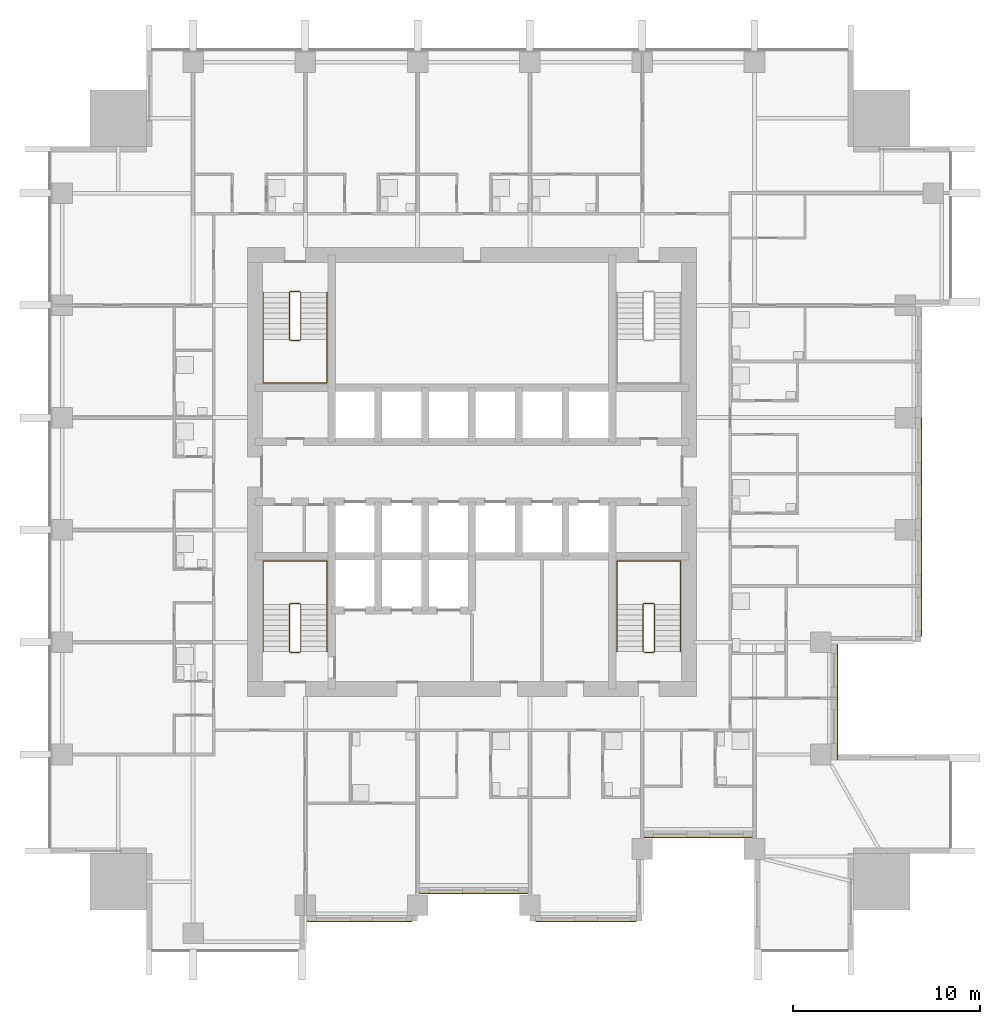
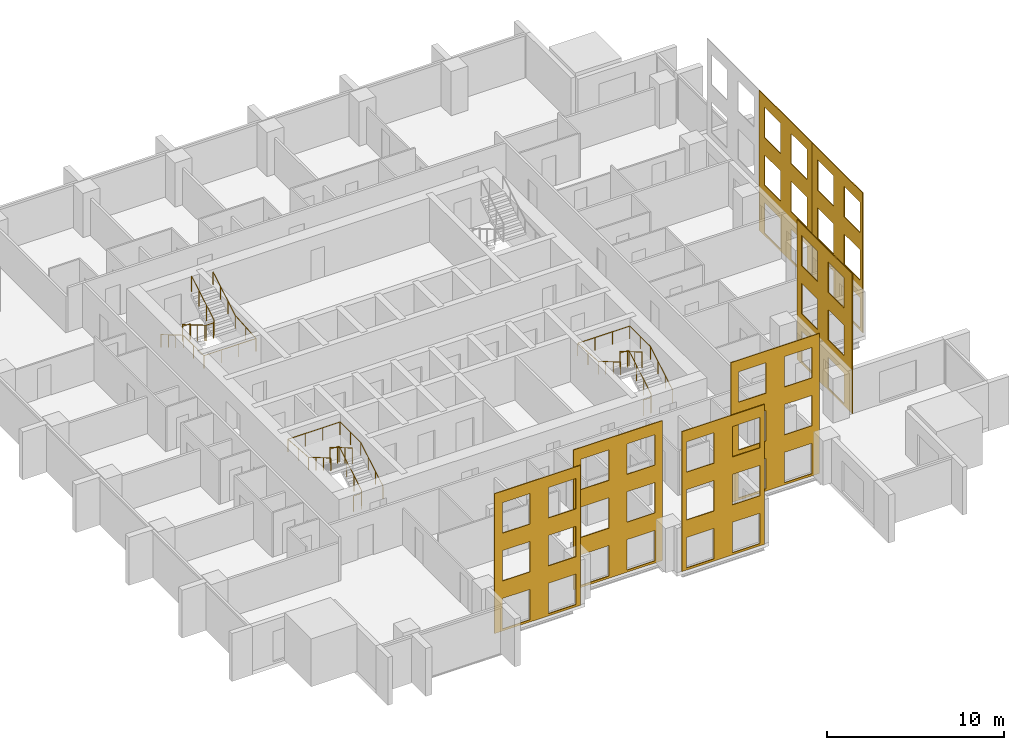
# One storey, part 10 of 12: 7 coverings, 6 railings.
"""IFC4 building model written with IfcOpenShell, lengths in metres."""

from ifc_helpers import new_model, si_unit, direction, frame, origin, origin_2d, place, context, subcontext, project, spatial, polyline, circle, outline, extrude, material, layer, layer_set, type_object, element, save


model = new_model("IFC4")

# Units and contexts
model_context = context("Model", 3, precision=1e-05, world=origin(), true_north=direction((0.0, 1.0)))
body_context = subcontext(model_context, "Body", "Model", "MODEL_VIEW")
ifc_project = project(units=[si_unit("LENGTHUNIT", "METRE"), si_unit("AREAUNIT", "SQUARE_METRE"), si_unit("VOLUMEUNIT", "CUBIC_METRE"), si_unit("PLANEANGLEUNIT", "RADIAN"), si_unit("MASSUNIT", "GRAM", prefix="KILO")], contexts=[model_context])

# Site, building, storey
site_placement = place(None, origin())
site = spatial("IfcSite", under=ifc_project, at=site_placement, CompositionType="ELEMENT")
building_placement = place(site_placement, origin())
building = spatial("IfcBuilding", under=site, at=building_placement, Name="Amberfall Residences", CompositionType="ELEMENT")
storey_placement = place(building_placement, frame((0.0, 0.0, 88.60009765625)))
storey = spatial("IfcBuildingStorey", under=building, at=storey_placement, Name="L23", CompositionType="ELEMENT", Elevation=88.60009765625)

# Coverings
ifc_material_1 = material(Name="Pale limestone cladding", Category="masonry")
ifc_layer = layer(ifc_material_1, 0.050048828125)
ifc_layer_set = layer_set([ifc_layer], Name="Limestone fascia 50")
covering_type = type_object("IfcCoveringType", Name="Limestone fascia 50", PredefinedType="CLADDING", material=ifc_layer_set)
covering_1_placement = place(storey_placement, frame((94.0, 30.10009765625, 9.64990234375), z_axis=(-1.0, 0.0, 0.0), x_axis=(0.0, 1.0, 0.0)))
element("IfcCovering", 1, at=covering_1_placement, inside=storey, type_object=covering_type, Name="Pale limestone cladding L23-L25 E", PredefinedType="CLADDING", context=body_context, shape_type="SweptSolid", body=[
    extrude(outline(polyline([(0.0, 0.0), (6.2099609375, 0.0), (6.2099609375, 9.64990234375), (0.0, 9.64990234375), (0.0, 0.0)]), holes=[polyline([(0.89990234375, 7.39990234375), (2.699951171875, 7.39990234375), (2.699951171875, 9.5), (0.89990234375, 9.5), (0.89990234375, 7.39990234375)]), polyline([(3.89990234375, 7.39990234375), (5.699951171875, 7.39990234375), (5.699951171875, 9.5), (3.89990234375, 9.5), (3.89990234375, 7.39990234375)]), polyline([(0.89990234375, 4.10009765625), (2.699951171875, 4.10009765625), (2.699951171875, 6.199951171875), (0.89990234375, 6.199951171875), (0.89990234375, 4.10009765625)]), polyline([(3.89990234375, 4.10009765625), (5.699951171875, 4.10009765625), (5.699951171875, 6.199951171875), (3.89990234375, 6.199951171875), (3.89990234375, 4.10009765625)]), polyline([(0.89990234375, 0.800048828125), (2.699951171875, 0.800048828125), (2.699951171875, 2.89990234375), (0.89990234375, 2.89990234375), (0.89990234375, 0.800048828125)]), polyline([(3.89990234375, 0.800048828125), (5.699951171875, 0.800048828125), (5.699951171875, 2.89990234375), (3.89990234375, 2.89990234375), (3.89990234375, 0.800048828125)])]), origin(), (0.0, 0.0, -1.0), 0.050048828125),
])
covering_2_placement = place(storey_placement, frame((98.5, 36.699951171875, 9.64990234375), z_axis=(-1.0, 0.0, 0.0), x_axis=(0.0, 1.0, 0.0)))
element("IfcCovering", 2, at=covering_2_placement, inside=storey, type_object=covering_type, Name="Pale limestone cladding L23-L25 E", PredefinedType="CLADDING", context=body_context, shape_type="SweptSolid", body=[
    extrude(outline(polyline([(0.0, 0.0), (5.699951171875, 0.0), (5.699951171875, 9.64990234375), (0.0, 9.64990234375), (0.0, 0.0)]), holes=[polyline([(0.300048828125, 7.39990234375), (2.10009765625, 7.39990234375), (2.10009765625, 9.5), (0.300048828125, 9.5), (0.300048828125, 7.39990234375)]), polyline([(3.300048828125, 7.39990234375), (5.10009765625, 7.39990234375), (5.10009765625, 9.5), (3.300048828125, 9.5), (3.300048828125, 7.39990234375)]), polyline([(0.300048828125, 4.10009765625), (2.10009765625, 4.10009765625), (2.10009765625, 6.199951171875), (0.300048828125, 6.199951171875), (0.300048828125, 4.10009765625)]), polyline([(3.300048828125, 4.10009765625), (5.10009765625, 4.10009765625), (5.10009765625, 6.199951171875), (3.300048828125, 6.199951171875), (3.300048828125, 4.10009765625)]), polyline([(0.300048828125, 0.800048828125), (2.10009765625, 0.800048828125), (2.10009765625, 2.89990234375), (0.300048828125, 2.89990234375), (0.300048828125, 0.800048828125)]), polyline([(3.300048828125, 0.800048828125), (5.10009765625, 0.800048828125), (5.10009765625, 2.89990234375), (3.300048828125, 2.89990234375), (3.300048828125, 0.800048828125)])]), origin(), (0.0, 0.0, -1.0), 0.050048828125),
])
covering_3_placement = place(storey_placement, frame((98.5, 42.39990234375, 9.64990234375), z_axis=(-1.0, 0.0, 0.0), x_axis=(0.0, 1.0, 0.0)))
element("IfcCovering", 3, at=covering_3_placement, inside=storey, type_object=covering_type, Name="Pale limestone cladding L23-L25 E", PredefinedType="CLADDING", context=body_context, shape_type="SweptSolid", body=[
    extrude(outline(polyline([(0.0, 0.0), (6.0, 0.0), (6.0, 9.64990234375), (0.0, 9.64990234375), (0.0, 0.0)]), holes=[polyline([(0.60009765625, 7.39990234375), (2.400146484375, 7.39990234375), (2.400146484375, 9.5), (0.60009765625, 9.5), (0.60009765625, 7.39990234375)]), polyline([(3.60009765625, 7.39990234375), (5.400146484375, 7.39990234375), (5.400146484375, 9.5), (3.60009765625, 9.5), (3.60009765625, 7.39990234375)]), polyline([(0.60009765625, 4.10009765625), (2.400146484375, 4.10009765625), (2.400146484375, 6.199951171875), (0.60009765625, 6.199951171875), (0.60009765625, 4.10009765625)]), polyline([(3.60009765625, 4.10009765625), (5.400146484375, 4.10009765625), (5.400146484375, 6.199951171875), (3.60009765625, 6.199951171875), (3.60009765625, 4.10009765625)]), polyline([(0.60009765625, 0.800048828125), (2.400146484375, 0.800048828125), (2.400146484375, 2.89990234375), (0.60009765625, 2.89990234375), (0.60009765625, 0.800048828125)]), polyline([(3.60009765625, 0.800048828125), (5.400146484375, 0.800048828125), (5.400146484375, 2.89990234375), (3.60009765625, 2.89990234375), (3.60009765625, 0.800048828125)])]), origin(), (0.0, 0.0, -1.0), 0.050048828125),
])
covering_4_placement = place(storey_placement, frame((65.68994140625, 21.5, 9.64990234375), z_axis=(0.0, 1.0, 0.0), x_axis=(1.0, 0.0, 0.0)))
element("IfcCovering", 4, at=covering_4_placement, inside=storey, type_object=covering_type, Name="Pale limestone cladding L23-L25 S", PredefinedType="CLADDING", context=body_context, shape_type="SweptSolid", body=[
    extrude(outline(polyline([(0.0, 0.0), (5.610107421875, 0.0), (5.610107421875, 9.64990234375), (0.0, 9.64990234375), (0.0, 0.0)]), holes=[polyline([(0.510009765625, 7.39990234375), (2.31005859375, 7.39990234375), (2.31005859375, 9.5), (0.510009765625, 9.5), (0.510009765625, 7.39990234375)]), polyline([(3.510009765625, 7.39990234375), (5.31005859375, 7.39990234375), (5.31005859375, 9.5), (3.510009765625, 9.5), (3.510009765625, 7.39990234375)]), polyline([(0.510009765625, 4.10009765625), (2.31005859375, 4.10009765625), (2.31005859375, 6.199951171875), (0.510009765625, 6.199951171875), (0.510009765625, 4.10009765625)]), polyline([(3.510009765625, 4.10009765625), (5.31005859375, 4.10009765625), (5.31005859375, 6.199951171875), (3.510009765625, 6.199951171875), (3.510009765625, 4.10009765625)]), polyline([(0.510009765625, 0.800048828125), (2.31005859375, 0.800048828125), (2.31005859375, 2.89990234375), (0.510009765625, 2.89990234375), (0.510009765625, 0.800048828125)]), polyline([(3.510009765625, 0.800048828125), (5.31005859375, 0.800048828125), (5.31005859375, 2.89990234375), (3.510009765625, 2.89990234375), (3.510009765625, 0.800048828125)])]), origin(), (0.0, 0.0, -1.0), 0.050048828125),
])
covering_5_placement = place(storey_placement, frame((71.7099609375, 23.0, 9.64990234375), z_axis=(0.0, 1.0, 0.0), x_axis=(1.0, 0.0, 0.0)))
element("IfcCovering", 5, at=covering_5_placement, inside=storey, type_object=covering_type, Name="Pale limestone cladding L23-L25 S", PredefinedType="CLADDING", context=body_context, shape_type="SweptSolid", body=[
    extrude(outline(polyline([(0.0, 0.0), (5.780029296875, 0.0), (5.780029296875, 9.64990234375), (0.0, 9.64990234375), (0.0, 0.0)]), holes=[polyline([(0.489990234375, 7.39990234375), (2.2900390625, 7.39990234375), (2.2900390625, 9.5), (0.489990234375, 9.5), (0.489990234375, 7.39990234375)]), polyline([(3.489990234375, 7.39990234375), (5.2900390625, 7.39990234375), (5.2900390625, 9.5), (3.489990234375, 9.5), (3.489990234375, 7.39990234375)]), polyline([(0.489990234375, 4.10009765625), (2.2900390625, 4.10009765625), (2.2900390625, 6.199951171875), (0.489990234375, 6.199951171875), (0.489990234375, 4.10009765625)]), polyline([(3.489990234375, 4.10009765625), (5.2900390625, 4.10009765625), (5.2900390625, 6.199951171875), (3.489990234375, 6.199951171875), (3.489990234375, 4.10009765625)]), polyline([(0.489990234375, 0.800048828125), (2.2900390625, 0.800048828125), (2.2900390625, 2.89990234375), (0.489990234375, 2.89990234375), (0.489990234375, 0.800048828125)]), polyline([(3.489990234375, 0.800048828125), (5.2900390625, 0.800048828125), (5.2900390625, 2.89990234375), (3.489990234375, 2.89990234375), (3.489990234375, 0.800048828125)])]), origin(), (0.0, 0.0, -1.0), 0.050048828125),
])
covering_6_placement = place(storey_placement, frame((77.89990234375, 21.5, 9.64990234375), z_axis=(0.0, 1.0, 0.0), x_axis=(1.0, 0.0, 0.0)))
element("IfcCovering", 6, at=covering_6_placement, inside=storey, type_object=covering_type, Name="Pale limestone cladding L23-L25 S", PredefinedType="CLADDING", context=body_context, shape_type="SweptSolid", body=[
    extrude(outline(polyline([(0.0, 0.0), (5.400146484375, 0.0), (5.400146484375, 9.64990234375), (0.0, 9.64990234375), (0.0, 0.0)]), holes=[polyline([(0.300048828125, 7.39990234375), (2.10009765625, 7.39990234375), (2.10009765625, 9.5), (0.300048828125, 9.5), (0.300048828125, 7.39990234375)]), polyline([(3.300048828125, 7.39990234375), (5.10009765625, 7.39990234375), (5.10009765625, 9.5), (3.300048828125, 9.5), (3.300048828125, 7.39990234375)]), polyline([(0.300048828125, 4.10009765625), (2.10009765625, 4.10009765625), (2.10009765625, 6.199951171875), (0.300048828125, 6.199951171875), (0.300048828125, 4.10009765625)]), polyline([(3.300048828125, 4.10009765625), (5.10009765625, 4.10009765625), (5.10009765625, 6.199951171875), (3.300048828125, 6.199951171875), (3.300048828125, 4.10009765625)]), polyline([(0.300048828125, 0.800048828125), (2.10009765625, 0.800048828125), (2.10009765625, 2.89990234375), (0.300048828125, 2.89990234375), (0.300048828125, 0.800048828125)]), polyline([(3.300048828125, 0.800048828125), (5.10009765625, 0.800048828125), (5.10009765625, 2.89990234375), (3.300048828125, 2.89990234375), (3.300048828125, 0.800048828125)])]), origin(), (0.0, 0.0, -1.0), 0.050048828125),
])
covering_7_placement = place(storey_placement, frame((83.699951171875, 26.0, 9.64990234375), z_axis=(0.0, 1.0, 0.0), x_axis=(1.0, 0.0, 0.0)))
element("IfcCovering", 7, at=covering_7_placement, inside=storey, type_object=covering_type, Name="Pale limestone cladding L23-L25 S", PredefinedType="CLADDING", context=body_context, shape_type="SweptSolid", body=[
    extrude(outline(polyline([(0.0, 0.0), (5.7900390625, 0.0), (5.7900390625, 9.64990234375), (0.0, 9.64990234375), (0.0, 0.0)]), holes=[polyline([(0.5, 7.39990234375), (2.300048828125, 7.39990234375), (2.300048828125, 9.5), (0.5, 9.5), (0.5, 7.39990234375)]), polyline([(3.5, 7.39990234375), (5.300048828125, 7.39990234375), (5.300048828125, 9.5), (3.5, 9.5), (3.5, 7.39990234375)]), polyline([(0.5, 4.10009765625), (2.300048828125, 4.10009765625), (2.300048828125, 6.199951171875), (0.5, 6.199951171875), (0.5, 4.10009765625)]), polyline([(3.5, 4.10009765625), (5.300048828125, 4.10009765625), (5.300048828125, 6.199951171875), (3.5, 6.199951171875), (3.5, 4.10009765625)]), polyline([(0.5, 0.800048828125), (2.300048828125, 0.800048828125), (2.300048828125, 2.89990234375), (0.5, 2.89990234375), (0.5, 0.800048828125)]), polyline([(3.5, 0.800048828125), (5.300048828125, 0.800048828125), (5.300048828125, 2.89990234375), (3.5, 2.89990234375), (3.5, 0.800048828125)])]), origin(), (0.0, 0.0, -1.0), 0.050048828125),
])

# Railings
ifc_material_2 = material(Name="Stainless steel 316", Category="steel")
railing_type_1 = type_object("IfcRailingType", Name="Stair guard 1100", PredefinedType="GUARDRAIL", material=ifc_material_2)
railing_1_placement = place(storey_placement, frame((64.800048828125, 35.85009765625, 0.0)))
element("IfcRailing", 8, at=railing_1_placement, inside=storey, type_object=railing_type_1, Name="L23 stair 1 guard", PredefinedType="GUARDRAIL", context=body_context, shape_type="SweptSolid", body=[
    extrude(circle(Radius=0.02392578125, at=origin_2d()), frame((0.0, 0.0, 1.076171875), z_axis=(1.0, 0.0, 0.0), x_axis=(0.0, 1.0, 0.0)), (0.0, 0.0, 1.0), 0.5),
    extrude(circle(Radius=0.02392578125, at=origin_2d()), frame((0.5, 0.0, 1.076171875), z_axis=(0.279159454702, 0.277797701265, 0.919183570361), x_axis=(-0.705375805398, 0.708833529934, 0.0)), (0.0, 0.0, 1.0), 0.17919921875),
    extrude(circle(Radius=0.02392578125, at=origin_2d()), frame((0.550048828125, 0.0498046875, 1.24072265625), z_axis=(0.0, 0.86152411907, 0.507716645641), x_axis=(-1.0, 0.0, 0.0)), (0.0, 0.0, 1.0), 2.925048828125),
    extrude(circle(Radius=0.02392578125, at=origin_2d()), frame((0.550048828125, 2.56982421875, 2.72607421875), z_axis=(-0.707106781187, 0.707106781187, 0.0), x_axis=(-0.707106781187, -0.707106781187, 0.0)), (0.0, 0.0, 1.0), 0.07080078125),
    extrude(circle(Radius=0.02392578125, at=origin_2d()), frame((0.5, 2.619873046875, 2.72607421875), z_axis=(-1.0, 0.0, 0.0), x_axis=(0.0, -1.0, 0.0)), (0.0, 0.0, 1.0), 0.5),
    extrude(circle(Radius=0.02392578125, at=origin_2d()), frame((0.0, 2.619873046875, 2.72607421875), z_axis=(-0.278705021027, -0.278705021027, 0.919046801044), x_axis=(0.707106781187, -0.707106781187, 0.0)), (0.0, 0.0, 1.0), 0.1796875),
    extrude(circle(Radius=0.02392578125, at=origin_2d()), frame((-0.050048828125, 2.56982421875, 2.89111328125), z_axis=(0.0, -0.861560626758, 0.507654692109), x_axis=(1.0, 0.0, 0.0)), (0.0, 0.0, 1.0), 2.925048828125),
    extrude(circle(Radius=0.02099609375, at=origin_2d()), origin(), (0.0, 0.0, 1.0), 1.052001953125),
    extrude(circle(Radius=0.02099609375, at=origin_2d()), frame((0.5, 0.0, 0.0)), (0.0, 0.0, 1.0), 1.052001953125),
    extrude(circle(Radius=0.02099609375, at=origin_2d()), frame((0.550048828125, 0.0498046875, 0.164794921875)), (0.0, 0.0, 1.0), 1.052001953125),
    extrude(circle(Radius=0.02099609375, at=origin_2d()), frame((0.550048828125, 0.889892578125, 0.659912109375)), (0.0, 0.0, 1.0), 1.052001953125),
    extrude(circle(Radius=0.02099609375, at=origin_2d()), frame((0.550048828125, 1.729736328125, 1.15478515625)), (0.0, 0.0, 1.0), 1.052001953125),
    extrude(circle(Radius=0.02099609375, at=origin_2d()), frame((0.550048828125, 2.56982421875, 1.64990234375)), (0.0, 0.0, 1.0), 1.052001953125),
    extrude(circle(Radius=0.02099609375, at=origin_2d()), frame((0.5, 2.619873046875, 1.64990234375)), (0.0, 0.0, 1.0), 1.052001953125),
    extrude(circle(Radius=0.02099609375, at=origin_2d()), frame((0.0, 2.619873046875, 1.64990234375)), (0.0, 0.0, 1.0), 1.052001953125),
    extrude(circle(Radius=0.02099609375, at=origin_2d()), frame((-0.050048828125, 2.56982421875, 1.81494140625)), (0.0, 0.0, 1.0), 1.052001953125),
    extrude(circle(Radius=0.02099609375, at=origin_2d()), frame((-0.050048828125, 1.729736328125, 2.309814453125)), (0.0, 0.0, 1.0), 1.052001953125),
    extrude(circle(Radius=0.02099609375, at=origin_2d()), frame((-0.050048828125, 0.889892578125, 2.804931640625)), (0.0, 0.0, 1.0), 1.052001953125),
    extrude(circle(Radius=0.02099609375, at=origin_2d()), frame((-0.050048828125, 0.0498046875, 3.2998046875)), (0.0, 0.0, 1.0), 1.052001953125),
])
railing_2_placement = place(storey_placement, frame((83.699951171875, 35.85009765625, 0.0)))
element("IfcRailing", 9, at=railing_2_placement, inside=storey, type_object=railing_type_1, Name="L23 stair 2 guard", PredefinedType="GUARDRAIL", context=body_context, shape_type="SweptSolid", body=[
    extrude(circle(Radius=0.02392578125, at=origin_2d()), frame((0.0, 0.0, 1.076171875), z_axis=(1.0, 0.0, 0.0), x_axis=(0.0, 1.0, 0.0)), (0.0, 0.0, 1.0), 0.5),
    extrude(circle(Radius=0.02392578125, at=origin_2d()), frame((0.5, 0.0, 1.076171875), z_axis=(0.279159454702, 0.277797701265, 0.919183570361), x_axis=(-0.705375805398, 0.708833529934, 0.0)), (0.0, 0.0, 1.0), 0.17919921875),
    extrude(circle(Radius=0.02392578125, at=origin_2d()), frame((0.550048828125, 0.0498046875, 1.24072265625), z_axis=(0.0, 0.86152411907, 0.507716645641), x_axis=(-1.0, 0.0, 0.0)), (0.0, 0.0, 1.0), 2.925048828125),
    extrude(circle(Radius=0.02392578125, at=origin_2d()), frame((0.550048828125, 2.56982421875, 2.72607421875), z_axis=(-0.707106781187, 0.707106781187, 0.0), x_axis=(-0.707106781187, -0.707106781187, 0.0)), (0.0, 0.0, 1.0), 0.07080078125),
    extrude(circle(Radius=0.02392578125, at=origin_2d()), frame((0.5, 2.619873046875, 2.72607421875), z_axis=(-1.0, 0.0, 0.0), x_axis=(0.0, -1.0, 0.0)), (0.0, 0.0, 1.0), 0.5),
    extrude(circle(Radius=0.02392578125, at=origin_2d()), frame((0.0, 2.619873046875, 2.72607421875), z_axis=(-0.278705021027, -0.278705021027, 0.919046801044), x_axis=(0.707106781187, -0.707106781187, 0.0)), (0.0, 0.0, 1.0), 0.1796875),
    extrude(circle(Radius=0.02392578125, at=origin_2d()), frame((-0.050048828125, 2.56982421875, 2.89111328125), z_axis=(0.0, -0.861560626758, 0.507654692109), x_axis=(1.0, 0.0, 0.0)), (0.0, 0.0, 1.0), 2.925048828125),
    extrude(circle(Radius=0.02099609375, at=origin_2d()), origin(), (0.0, 0.0, 1.0), 1.052001953125),
    extrude(circle(Radius=0.02099609375, at=origin_2d()), frame((0.5, 0.0, 0.0)), (0.0, 0.0, 1.0), 1.052001953125),
    extrude(circle(Radius=0.02099609375, at=origin_2d()), frame((0.550048828125, 0.0498046875, 0.164794921875)), (0.0, 0.0, 1.0), 1.052001953125),
    extrude(circle(Radius=0.02099609375, at=origin_2d()), frame((0.550048828125, 0.889892578125, 0.659912109375)), (0.0, 0.0, 1.0), 1.052001953125),
    extrude(circle(Radius=0.02099609375, at=origin_2d()), frame((0.550048828125, 1.729736328125, 1.15478515625)), (0.0, 0.0, 1.0), 1.052001953125),
    extrude(circle(Radius=0.02099609375, at=origin_2d()), frame((0.550048828125, 2.56982421875, 1.64990234375)), (0.0, 0.0, 1.0), 1.052001953125),
    extrude(circle(Radius=0.02099609375, at=origin_2d()), frame((0.5, 2.619873046875, 1.64990234375)), (0.0, 0.0, 1.0), 1.052001953125),
    extrude(circle(Radius=0.02099609375, at=origin_2d()), frame((0.0, 2.619873046875, 1.64990234375)), (0.0, 0.0, 1.0), 1.052001953125),
    extrude(circle(Radius=0.02099609375, at=origin_2d()), frame((-0.050048828125, 2.56982421875, 1.81494140625)), (0.0, 0.0, 1.0), 1.052001953125),
    extrude(circle(Radius=0.02099609375, at=origin_2d()), frame((-0.050048828125, 1.729736328125, 2.309814453125)), (0.0, 0.0, 1.0), 1.052001953125),
    extrude(circle(Radius=0.02099609375, at=origin_2d()), frame((-0.050048828125, 0.889892578125, 2.804931640625)), (0.0, 0.0, 1.0), 1.052001953125),
    extrude(circle(Radius=0.02099609375, at=origin_2d()), frame((-0.050048828125, 0.0498046875, 3.2998046875)), (0.0, 0.0, 1.0), 1.052001953125),
])
railing_3_placement = place(storey_placement, frame((65.300048828125, 55.14990234375, 0.0)))
element("IfcRailing", 10, at=railing_3_placement, inside=storey, type_object=railing_type_1, Name="L23 stair 4 guard", PredefinedType="GUARDRAIL", context=body_context, shape_type="SweptSolid", body=[
    extrude(circle(Radius=0.02392578125, at=origin_2d()), frame((0.0, 0.0, 1.076171875), z_axis=(-1.0, 0.0, 0.0), x_axis=(0.0, -1.0, 0.0)), (0.0, 0.0, 1.0), 0.5),
    extrude(circle(Radius=0.02392578125, at=origin_2d()), frame((-0.5, 0.0, 1.076171875), z_axis=(-0.279159454702, -0.277797701265, 0.919183570361), x_axis=(0.705375805398, -0.708833529934, 0.0)), (0.0, 0.0, 1.0), 0.17919921875),
    extrude(circle(Radius=0.02392578125, at=origin_2d()), frame((-0.550048828125, -0.0498046875, 1.24072265625), z_axis=(0.0, -0.86152411907, 0.507716645641), x_axis=(1.0, 0.0, 0.0)), (0.0, 0.0, 1.0), 2.925048828125),
    extrude(circle(Radius=0.02392578125, at=origin_2d()), frame((-0.550048828125, -2.56982421875, 2.72607421875), z_axis=(0.707106781187, -0.707106781187, 0.0), x_axis=(0.707106781187, 0.707106781187, 0.0)), (0.0, 0.0, 1.0), 0.07080078125),
    extrude(circle(Radius=0.02392578125, at=origin_2d()), frame((-0.5, -2.619873046875, 2.72607421875), z_axis=(1.0, 0.0, 0.0), x_axis=(0.0, 1.0, 0.0)), (0.0, 0.0, 1.0), 0.5),
    extrude(circle(Radius=0.02392578125, at=origin_2d()), frame((0.0, -2.619873046875, 2.72607421875), z_axis=(0.278705021027, 0.278705021027, 0.919046801044), x_axis=(-0.707106781187, 0.707106781187, 0.0)), (0.0, 0.0, 1.0), 0.1796875),
    extrude(circle(Radius=0.02392578125, at=origin_2d()), frame((0.050048828125, -2.56982421875, 2.89111328125), z_axis=(0.0, 0.861560626758, 0.507654692109), x_axis=(-1.0, 0.0, 0.0)), (0.0, 0.0, 1.0), 2.925048828125),
    extrude(circle(Radius=0.02099609375, at=origin_2d()), origin(), (0.0, 0.0, 1.0), 1.052001953125),
    extrude(circle(Radius=0.02099609375, at=origin_2d()), frame((-0.5, 0.0, 0.0)), (0.0, 0.0, 1.0), 1.052001953125),
    extrude(circle(Radius=0.02099609375, at=origin_2d()), frame((-0.550048828125, -0.0498046875, 0.164794921875)), (0.0, 0.0, 1.0), 1.052001953125),
    extrude(circle(Radius=0.02099609375, at=origin_2d()), frame((-0.550048828125, -0.889892578125, 0.659912109375)), (0.0, 0.0, 1.0), 1.052001953125),
    extrude(circle(Radius=0.02099609375, at=origin_2d()), frame((-0.550048828125, -1.729736328125, 1.15478515625)), (0.0, 0.0, 1.0), 1.052001953125),
    extrude(circle(Radius=0.02099609375, at=origin_2d()), frame((-0.550048828125, -2.56982421875, 1.64990234375)), (0.0, 0.0, 1.0), 1.052001953125),
    extrude(circle(Radius=0.02099609375, at=origin_2d()), frame((-0.5, -2.619873046875, 1.64990234375)), (0.0, 0.0, 1.0), 1.052001953125),
    extrude(circle(Radius=0.02099609375, at=origin_2d()), frame((0.0, -2.619873046875, 1.64990234375)), (0.0, 0.0, 1.0), 1.052001953125),
    extrude(circle(Radius=0.02099609375, at=origin_2d()), frame((0.050048828125, -2.56982421875, 1.81494140625)), (0.0, 0.0, 1.0), 1.052001953125),
    extrude(circle(Radius=0.02099609375, at=origin_2d()), frame((0.050048828125, -1.729736328125, 2.309814453125)), (0.0, 0.0, 1.0), 1.052001953125),
    extrude(circle(Radius=0.02099609375, at=origin_2d()), frame((0.050048828125, -0.889892578125, 2.804931640625)), (0.0, 0.0, 1.0), 1.052001953125),
    extrude(circle(Radius=0.02099609375, at=origin_2d()), frame((0.050048828125, -0.0498046875, 3.2998046875)), (0.0, 0.0, 1.0), 1.052001953125),
])
railing_type_2 = type_object("IfcRailingType", Name="Stair handrail 900", PredefinedType="HANDRAIL", material=ifc_material_2)
railing_4_placement = place(storey_placement, frame((66.75, 35.89990234375, 0.164794921875)))
element("IfcRailing", 11, at=railing_4_placement, inside=storey, type_object=railing_type_2, Name="L23 stair 1 handrail", PredefinedType="HANDRAIL", context=body_context, shape_type="SweptSolid", body=[
    extrude(circle(Radius=0.02392578125, at=origin_2d()), frame((0.0, 0.0, 0.8759765625), z_axis=(0.0, 0.86152411907, 0.507716645641), x_axis=(-1.0, 0.0, 0.0)), (0.0, 0.0, 1.0), 2.925048828125),
    extrude(circle(Radius=0.02392578125, at=origin_2d()), frame((0.0, 2.52001953125, 2.36083984375), z_axis=(0.0, 1.0, 0.0), x_axis=(-1.0, 0.0, 0.0)), (0.0, 0.0, 1.0), 2.330078125),
    extrude(circle(Radius=0.02392578125, at=origin_2d()), frame((0.0, 4.85009765625, 2.36083984375), z_axis=(-1.0, 0.0, 0.0), x_axis=(0.0, -1.0, 0.0)), (0.0, 0.0, 1.0), 3.39990234375),
    extrude(circle(Radius=0.02392578125, at=origin_2d()), frame((-3.39990234375, 4.85009765625, 2.36083984375), z_axis=(0.0, -0.997500965899, 0.07065283455), x_axis=(1.0, 0.0, 0.0)), (0.0, 0.0, 1.0), 2.3359375),
    extrude(circle(Radius=0.02392578125, at=origin_2d()), frame((-3.39990234375, 2.52001953125, 2.52587890625), z_axis=(0.0, -0.861560626758, 0.507654692109), x_axis=(1.0, 0.0, 0.0)), (0.0, 0.0, 1.0), 2.925048828125),
    extrude(circle(Radius=0.02099609375, at=origin_2d()), origin(), (0.0, 0.0, 1.0), 0.851806640625),
    extrude(circle(Radius=0.02099609375, at=origin_2d()), frame((0.0, 0.840087890625, 0.4951171875)), (0.0, 0.0, 1.0), 0.851806640625),
    extrude(circle(Radius=0.02099609375, at=origin_2d()), frame((0.0, 1.679931640625, 0.989990234375)), (0.0, 0.0, 1.0), 0.851806640625),
    extrude(circle(Radius=0.02099609375, at=origin_2d()), frame((0.0, 2.52001953125, 1.485107421875)), (0.0, 0.0, 1.0), 0.851806640625),
    extrude(circle(Radius=0.02099609375, at=origin_2d()), frame((0.0, 3.68505859375, 1.485107421875)), (0.0, 0.0, 1.0), 0.851806640625),
    extrude(circle(Radius=0.02099609375, at=origin_2d()), frame((0.0, 4.85009765625, 1.485107421875)), (0.0, 0.0, 1.0), 0.851806640625),
    extrude(circle(Radius=0.02099609375, at=origin_2d()), frame((-1.13330078125, 4.85009765625, 1.485107421875)), (0.0, 0.0, 1.0), 0.851806640625),
    extrude(circle(Radius=0.02099609375, at=origin_2d()), frame((-2.2666015625, 4.85009765625, 1.485107421875)), (0.0, 0.0, 1.0), 0.851806640625),
    extrude(circle(Radius=0.02099609375, at=origin_2d()), frame((-3.39990234375, 4.85009765625, 1.485107421875)), (0.0, 0.0, 1.0), 0.851806640625),
    extrude(circle(Radius=0.02099609375, at=origin_2d()), frame((-3.39990234375, 3.68505859375, 1.567626953125)), (0.0, 0.0, 1.0), 0.851806640625),
    extrude(circle(Radius=0.02099609375, at=origin_2d()), frame((-3.39990234375, 2.52001953125, 1.650146484375)), (0.0, 0.0, 1.0), 0.851806640625),
    extrude(circle(Radius=0.02099609375, at=origin_2d()), frame((-3.39990234375, 1.679931640625, 2.14501953125)), (0.0, 0.0, 1.0), 0.851806640625),
    extrude(circle(Radius=0.02099609375, at=origin_2d()), frame((-3.39990234375, 0.840087890625, 2.64013671875)), (0.0, 0.0, 1.0), 0.851806640625),
    extrude(circle(Radius=0.02099609375, at=origin_2d()), frame((-3.39990234375, 0.0, 3.135009765625)), (0.0, 0.0, 1.0), 0.851806640625),
])
railing_5_placement = place(storey_placement, frame((85.64990234375, 35.89990234375, 0.164794921875)))
element("IfcRailing", 12, at=railing_5_placement, inside=storey, type_object=railing_type_2, Name="L23 stair 2 handrail", PredefinedType="HANDRAIL", context=body_context, shape_type="SweptSolid", body=[
    extrude(circle(Radius=0.02392578125, at=origin_2d()), frame((0.0, 0.0, 0.8759765625), z_axis=(0.0, 0.86152411907, 0.507716645641), x_axis=(-1.0, 0.0, 0.0)), (0.0, 0.0, 1.0), 2.925048828125),
    extrude(circle(Radius=0.02392578125, at=origin_2d()), frame((0.0, 2.52001953125, 2.36083984375), z_axis=(0.0, 1.0, 0.0), x_axis=(-1.0, 0.0, 0.0)), (0.0, 0.0, 1.0), 2.330078125),
    extrude(circle(Radius=0.02392578125, at=origin_2d()), frame((0.0, 4.85009765625, 2.36083984375), z_axis=(-1.0, 0.0, 0.0), x_axis=(0.0, -1.0, 0.0)), (0.0, 0.0, 1.0), 3.39990234375),
    extrude(circle(Radius=0.02392578125, at=origin_2d()), frame((-3.39990234375, 4.85009765625, 2.36083984375), z_axis=(0.0, -0.997500965899, 0.07065283455), x_axis=(1.0, 0.0, 0.0)), (0.0, 0.0, 1.0), 2.3359375),
    extrude(circle(Radius=0.02392578125, at=origin_2d()), frame((-3.39990234375, 2.52001953125, 2.52587890625), z_axis=(0.0, -0.861560626758, 0.507654692109), x_axis=(1.0, 0.0, 0.0)), (0.0, 0.0, 1.0), 2.925048828125),
    extrude(circle(Radius=0.02099609375, at=origin_2d()), origin(), (0.0, 0.0, 1.0), 0.851806640625),
    extrude(circle(Radius=0.02099609375, at=origin_2d()), frame((0.0, 0.840087890625, 0.4951171875)), (0.0, 0.0, 1.0), 0.851806640625),
    extrude(circle(Radius=0.02099609375, at=origin_2d()), frame((0.0, 1.679931640625, 0.989990234375)), (0.0, 0.0, 1.0), 0.851806640625),
    extrude(circle(Radius=0.02099609375, at=origin_2d()), frame((0.0, 2.52001953125, 1.485107421875)), (0.0, 0.0, 1.0), 0.851806640625),
    extrude(circle(Radius=0.02099609375, at=origin_2d()), frame((0.0, 3.68505859375, 1.485107421875)), (0.0, 0.0, 1.0), 0.851806640625),
    extrude(circle(Radius=0.02099609375, at=origin_2d()), frame((0.0, 4.85009765625, 1.485107421875)), (0.0, 0.0, 1.0), 0.851806640625),
    extrude(circle(Radius=0.02099609375, at=origin_2d()), frame((-1.13330078125, 4.85009765625, 1.485107421875)), (0.0, 0.0, 1.0), 0.851806640625),
    extrude(circle(Radius=0.02099609375, at=origin_2d()), frame((-2.2666015625, 4.85009765625, 1.485107421875)), (0.0, 0.0, 1.0), 0.851806640625),
    extrude(circle(Radius=0.02099609375, at=origin_2d()), frame((-3.39990234375, 4.85009765625, 1.485107421875)), (0.0, 0.0, 1.0), 0.851806640625),
    extrude(circle(Radius=0.02099609375, at=origin_2d()), frame((-3.39990234375, 3.68505859375, 1.567626953125)), (0.0, 0.0, 1.0), 0.851806640625),
    extrude(circle(Radius=0.02099609375, at=origin_2d()), frame((-3.39990234375, 2.52001953125, 1.650146484375)), (0.0, 0.0, 1.0), 0.851806640625),
    extrude(circle(Radius=0.02099609375, at=origin_2d()), frame((-3.39990234375, 1.679931640625, 2.14501953125)), (0.0, 0.0, 1.0), 0.851806640625),
    extrude(circle(Radius=0.02099609375, at=origin_2d()), frame((-3.39990234375, 0.840087890625, 2.64013671875)), (0.0, 0.0, 1.0), 0.851806640625),
    extrude(circle(Radius=0.02099609375, at=origin_2d()), frame((-3.39990234375, 0.0, 3.135009765625)), (0.0, 0.0, 1.0), 0.851806640625),
])
railing_6_placement = place(storey_placement, frame((63.35009765625, 55.10009765625, 0.164794921875)))
element("IfcRailing", 13, at=railing_6_placement, inside=storey, type_object=railing_type_2, Name="L23 stair 4 handrail", PredefinedType="HANDRAIL", context=body_context, shape_type="SweptSolid", body=[
    extrude(circle(Radius=0.02392578125, at=origin_2d()), frame((0.0, 0.0, 0.8759765625), z_axis=(0.0, -0.86152411907, 0.507716645641), x_axis=(1.0, 0.0, 0.0)), (0.0, 0.0, 1.0), 2.925048828125),
    extrude(circle(Radius=0.02392578125, at=origin_2d()), frame((0.0, -2.52001953125, 2.36083984375), z_axis=(0.0, -1.0, 0.0), x_axis=(1.0, 0.0, 0.0)), (0.0, 0.0, 1.0), 2.330078125),
    extrude(circle(Radius=0.02392578125, at=origin_2d()), frame((0.0, -4.85009765625, 2.36083984375), z_axis=(1.0, 0.0, 0.0), x_axis=(0.0, 1.0, 0.0)), (0.0, 0.0, 1.0), 3.39990234375),
    extrude(circle(Radius=0.02392578125, at=origin_2d()), frame((3.39990234375, -4.85009765625, 2.36083984375), z_axis=(0.0, 0.997500965899, 0.07065283455), x_axis=(-1.0, 0.0, 0.0)), (0.0, 0.0, 1.0), 2.3359375),
    extrude(circle(Radius=0.02392578125, at=origin_2d()), frame((3.39990234375, -2.52001953125, 2.52587890625), z_axis=(0.0, 0.861560626758, 0.507654692109), x_axis=(-1.0, 0.0, 0.0)), (0.0, 0.0, 1.0), 2.925048828125),
    extrude(circle(Radius=0.02099609375, at=origin_2d()), origin(), (0.0, 0.0, 1.0), 0.851806640625),
    extrude(circle(Radius=0.02099609375, at=origin_2d()), frame((0.0, -0.840087890625, 0.4951171875)), (0.0, 0.0, 1.0), 0.851806640625),
    extrude(circle(Radius=0.02099609375, at=origin_2d()), frame((0.0, -1.679931640625, 0.989990234375)), (0.0, 0.0, 1.0), 0.851806640625),
    extrude(circle(Radius=0.02099609375, at=origin_2d()), frame((0.0, -2.52001953125, 1.485107421875)), (0.0, 0.0, 1.0), 0.851806640625),
    extrude(circle(Radius=0.02099609375, at=origin_2d()), frame((0.0, -3.68505859375, 1.485107421875)), (0.0, 0.0, 1.0), 0.851806640625),
    extrude(circle(Radius=0.02099609375, at=origin_2d()), frame((0.0, -4.85009765625, 1.485107421875)), (0.0, 0.0, 1.0), 0.851806640625),
    extrude(circle(Radius=0.02099609375, at=origin_2d()), frame((1.13330078125, -4.85009765625, 1.485107421875)), (0.0, 0.0, 1.0), 0.851806640625),
    extrude(circle(Radius=0.02099609375, at=origin_2d()), frame((2.2666015625, -4.85009765625, 1.485107421875)), (0.0, 0.0, 1.0), 0.851806640625),
    extrude(circle(Radius=0.02099609375, at=origin_2d()), frame((3.39990234375, -4.85009765625, 1.485107421875)), (0.0, 0.0, 1.0), 0.851806640625),
    extrude(circle(Radius=0.02099609375, at=origin_2d()), frame((3.39990234375, -3.68505859375, 1.567626953125)), (0.0, 0.0, 1.0), 0.851806640625),
    extrude(circle(Radius=0.02099609375, at=origin_2d()), frame((3.39990234375, -2.52001953125, 1.650146484375)), (0.0, 0.0, 1.0), 0.851806640625),
    extrude(circle(Radius=0.02099609375, at=origin_2d()), frame((3.39990234375, -1.679931640625, 2.14501953125)), (0.0, 0.0, 1.0), 0.851806640625),
    extrude(circle(Radius=0.02099609375, at=origin_2d()), frame((3.39990234375, -0.840087890625, 2.64013671875)), (0.0, 0.0, 1.0), 0.851806640625),
    extrude(circle(Radius=0.02099609375, at=origin_2d()), frame((3.39990234375, 0.0, 3.135009765625)), (0.0, 0.0, 1.0), 0.851806640625),
])

save(model, "model.ifc")
